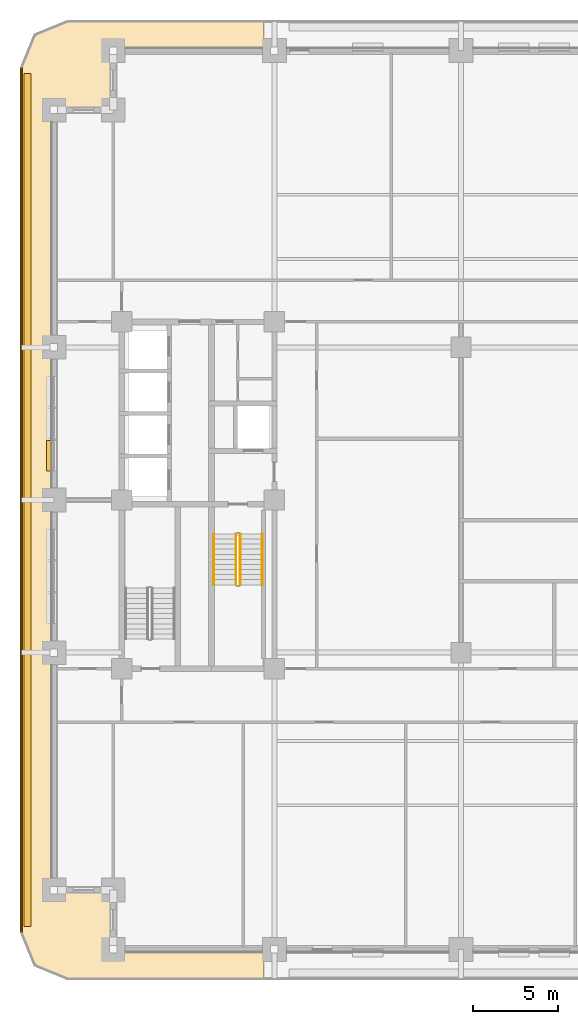
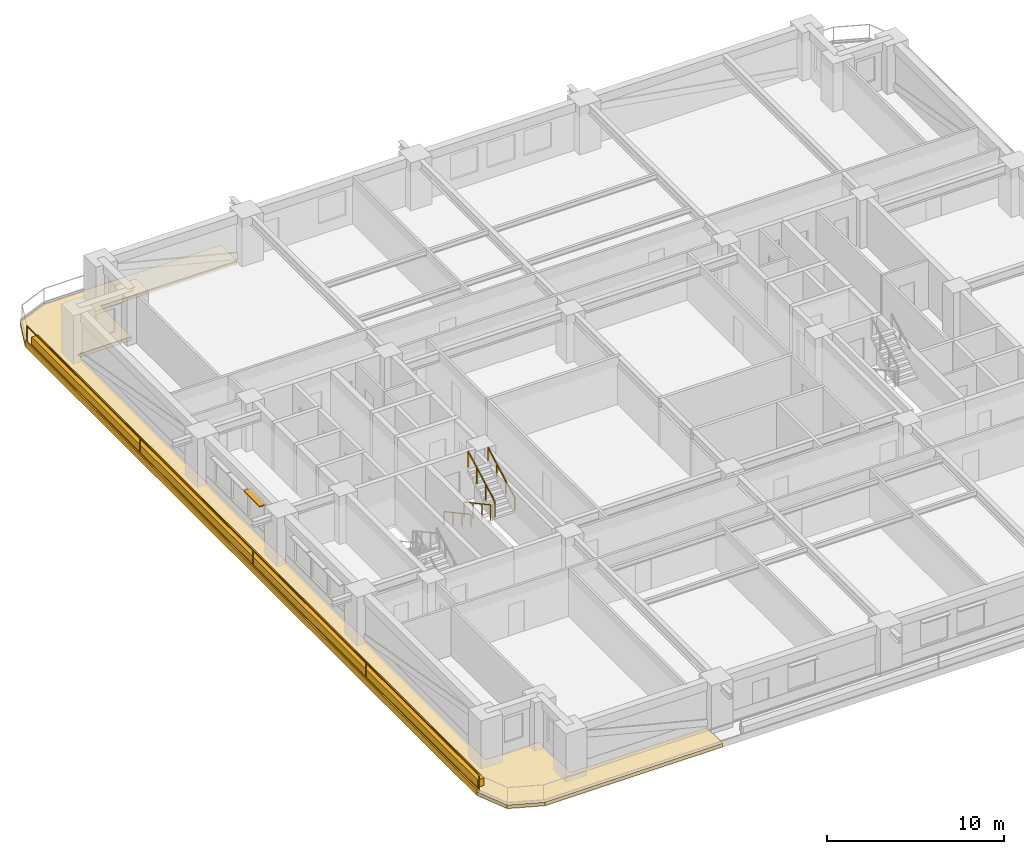
# One storey, part 10 of 14: 5 railings, 3 coverings, 1 shading device.
"""IFC4 building model written with IfcOpenShell, lengths in metres."""

from ifc_helpers import new_model, si_unit, direction, frame, frame_2d, origin, origin_2d, place, context, subcontext, project, spatial, polyline, rectangle, outline, extrude, material, layer, layer_set, type_object, element, save


model = new_model("IFC4")

# Units and contexts
model_context = context("Model", 3, precision=1e-05, world=origin(), true_north=direction((0.0, 1.0)))
body_context = subcontext(model_context, "Body", "Model", "MODEL_VIEW")
ifc_project = project(units=[si_unit("LENGTHUNIT", "METRE"), si_unit("AREAUNIT", "SQUARE_METRE"), si_unit("VOLUMEUNIT", "CUBIC_METRE"), si_unit("PLANEANGLEUNIT", "RADIAN"), si_unit("MASSUNIT", "GRAM", prefix="KILO")], contexts=[model_context])

# Site, building, storey
site_placement = place(None, origin())
site = spatial("IfcSite", under=ifc_project, at=site_placement, CompositionType="ELEMENT")
building_placement = place(site_placement, origin())
building = spatial("IfcBuilding", under=site, at=building_placement, Name="Zulmaris Gate Convention Tower", CompositionType="ELEMENT")
storey_placement = place(building_placement, frame((0.0, 0.0, 41.47998046875)))
storey = spatial("IfcBuildingStorey", under=building, at=storey_placement, Name="L09", CompositionType="ELEMENT", Elevation=41.47998046875)

# Coverings
ifc_material_1 = material(Name="White Glazed Architectural Precast Concrete C40/50", Category="concrete")
ifc_layer_1 = layer(ifc_material_1, 0.239990234375, Name="White Glazed Architectural Precast Concrete C40/50")
ifc_layer_set_1 = layer_set([ifc_layer_1], Name="White Glazed Architectural Precast Concrete C40/50")
covering_type_1 = type_object("IfcCoveringType", Name="CLAD-TRAY-DECK", PredefinedType="CLADDING", material=ifc_layer_set_1)
covering_1_placement = place(storey_placement, frame((0.0, 0.0, -0.25)))
element("IfcCovering", 1, at=covering_1_placement, inside=storey, type_object=covering_type_1, Name="L09 West Rounded-Fascia Planter Tray Deck", PredefinedType="CLADDING", context=body_context, shape_type="SweptSolid", body=[
    extrude(outline(polyline([(-26.0, 25.5), (-25.179931640625, 27.47998046875), (-23.199951171875, 28.300048828125), (-11.60205078125, 28.300048828125), (-11.60205078125, 26.5), (-20.5, 26.5), (-20.5, 23.0), (-24.0, 23.0), (-24.0, -23.0), (-20.5, -23.0), (-20.5, -26.5), (-11.60205078125, -26.5), (-11.60205078125, -28.300048828125), (-23.199951171875, -28.300048828125), (-25.179931640625, -27.47998046875), (-26.0, -25.5), (-26.0, 25.5)])), origin(), (0.0, 0.0, 1.0), 0.239990234375),
])
ifc_layer_2 = layer(ifc_material_1, 0.080078125, Name="White Glazed Architectural Precast Concrete C40/50")
ifc_layer_set_2 = layer_set([ifc_layer_2], Name="White Glazed Architectural Precast Concrete C40/50")
covering_type_2 = type_object("IfcCoveringType", Name="CLAD-TRAY-FASCIA", PredefinedType="CLADDING", material=ifc_layer_set_2)
covering_2_placement = place(storey_placement, frame((-25.9599609375, 25.5, -0.2900390625), z_axis=(0.0, 0.0, 1.0), x_axis=(0.0, -1.0, 0.0)))
element("IfcCovering", 2, at=covering_2_placement, inside=storey, type_object=covering_type_2, Name="FSC-L09-TR-11", PredefinedType="CLADDING", context=body_context, shape_type="SweptSolid", body=[
    extrude(rectangle(XDim=51.0, YDim=0.080078125, at=frame_2d((25.5, 0.0))), origin(), (0.0, 0.0, 1.0), 0.43994140625),
])
ifc_material_2 = material(Name="Botanical Green Glazed Precast Concrete C40/50", Category="concrete")
ifc_layer_3 = layer(ifc_material_2, 0.419921875, Name="Botanical Green Glazed Precast Concrete C40/50")
ifc_layer_set_3 = layer_set([ifc_layer_3], Name="Botanical Green Glazed Precast Concrete C40/50")
covering_type_3 = type_object("IfcCoveringType", Name="PLANTER-BOX-200", PredefinedType="CLADDING", material=ifc_layer_set_3)
covering_3_placement = place(storey_placement, frame((0.0, 0.0, -0.010009765625)))
element("IfcCovering", 3, at=covering_3_placement, inside=storey, type_object=covering_type_3, Name="L09 W Full-Length Balcony Tree Planter Trough", PredefinedType="CLADDING", context=body_context, shape_type="SweptSolid", body=[
    extrude(outline(polyline([(-25.760009765625, -25.14990234375), (-25.340087890625, -25.14990234375), (-25.340087890625, 25.14990234375), (-25.760009765625, 25.14990234375), (-25.760009765625, -25.14990234375)])), origin(), (0.0, 0.0, 1.0), 0.52001953125),
])

# Railings
ifc_material_3 = material(Name="Laminated Glass and Stainless Steel", Category="steel")
railing_type_1 = type_object("IfcRailingType", Name="RL-BALC-1150", PredefinedType="BALUSTRADE", material=ifc_material_3)
railing_1_placement = place(storey_placement, frame((-25.8798828125, 25.5, -0.010009765625)))
element("IfcRailing", 4, at=railing_1_placement, inside=storey, type_object=railing_type_1, Name="RL-L09-BALC-W", PredefinedType="BALUSTRADE", context=body_context, shape_type="SweptSolid", body=[
    extrude(rectangle(XDim=0.048095703125, YDim=0.048095703125, at=origin_2d()), frame((0.0, 0.0, 1.1259765625), z_axis=(0.0, -1.0, 0.0), x_axis=(1.0, 0.0, 0.0)), (0.0, 0.0, 1.0), 51.0),
    extrude(rectangle(XDim=0.048095703125, YDim=0.048095703125, at=origin_2d()), frame((0.0, 0.0, 0.02392578125), z_axis=(0.0, -1.0, 0.0), x_axis=(1.0, 0.0, 0.0)), (0.0, 0.0, 1.0), 51.0),
    extrude(rectangle(XDim=0.0419921875, YDim=0.0419921875, at=origin_2d()), origin(), (0.0, 0.0, 1.0), 1.101806640625),
    extrude(rectangle(XDim=0.0419921875, YDim=0.0419921875, at=origin_2d()), frame((0.0, -12.75, 0.0)), (0.0, 0.0, 1.0), 1.101806640625),
    extrude(rectangle(XDim=0.0419921875, YDim=0.0419921875, at=origin_2d()), frame((0.0, -25.5, 0.0)), (0.0, 0.0, 1.0), 1.101806640625),
    extrude(rectangle(XDim=0.0419921875, YDim=0.0419921875, at=origin_2d()), frame((0.0, -38.25, 0.0)), (0.0, 0.0, 1.0), 1.101806640625),
    extrude(rectangle(XDim=0.0419921875, YDim=0.0419921875, at=origin_2d()), frame((0.0, -51.0, 0.0)), (0.0, 0.0, 1.0), 1.101806640625),
])
ifc_material_4 = material(Name="Painted Galvanised Steel", Category="steel")
railing_type_2 = type_object("IfcRailingType", Name="RL-STG-1150", PredefinedType="GUARDRAIL", material=ifc_material_4)
railing_2_placement = place(storey_placement, frame((-13.27001953125, -2.0, 0.162353515625)))
element("IfcRailing", 5, at=railing_2_placement, inside=storey, type_object=railing_type_2, Name="L09 ST-1 stair guard 1", PredefinedType="GUARDRAIL", context=body_context, shape_type="SweptSolid", body=[
    extrude(rectangle(XDim=0.048095703125, YDim=0.048095703125, at=origin_2d()), frame((0.0, 0.0, 1.076171875), z_axis=(0.0, -0.879591569277, 0.475729619907), x_axis=(1.0, 0.0, 0.0)), (0.0, 0.0, 1.0), 3.41064453125),
    extrude(rectangle(XDim=0.0419921875, YDim=0.0419921875, at=origin_2d()), origin(), (0.0, 0.0, 1.0), 1.052001953125),
    extrude(rectangle(XDim=0.0419921875, YDim=0.0419921875, at=origin_2d()), frame((0.0, -1.0, 0.540771484375)), (0.0, 0.0, 1.0), 1.052001953125),
    extrude(rectangle(XDim=0.0419921875, YDim=0.0419921875, at=origin_2d()), frame((0.0, -2.0, 1.081787109375)), (0.0, 0.0, 1.0), 1.052001953125),
    extrude(rectangle(XDim=0.0419921875, YDim=0.0419921875, at=origin_2d()), frame((0.0, -3.0, 1.62255859375)), (0.0, 0.0, 1.0), 1.052001953125),
])
railing_3_placement = place(storey_placement, frame((-13.010009765625, -5.0, 1.947265625)))
element("IfcRailing", 6, at=railing_3_placement, inside=storey, type_object=railing_type_2, Name="L09 ST-1 stair guard 3", PredefinedType="GUARDRAIL", context=body_context, shape_type="SweptSolid", body=[
    extrude(rectangle(XDim=0.048095703125, YDim=0.048095703125, at=origin_2d()), frame((0.0, 0.0, 1.076171875), z_axis=(0.0, 0.8795616155, 0.475784998228), x_axis=(-1.0, 0.0, 0.0)), (0.0, 0.0, 1.0), 3.410888671875),
    extrude(rectangle(XDim=0.0419921875, YDim=0.0419921875, at=origin_2d()), origin(), (0.0, 0.0, 1.0), 1.052001953125),
    extrude(rectangle(XDim=0.0419921875, YDim=0.0419921875, at=origin_2d()), frame((0.0, 1.0, 0.541015625)), (0.0, 0.0, 1.0), 1.052001953125),
    extrude(rectangle(XDim=0.0419921875, YDim=0.0419921875, at=origin_2d()), frame((0.0, 2.0, 1.081787109375)), (0.0, 0.0, 1.0), 1.052001953125),
    extrude(rectangle(XDim=0.0419921875, YDim=0.0419921875, at=origin_2d()), frame((0.0, 3.0, 1.622802734375)), (0.0, 0.0, 1.0), 1.052001953125),
])
ifc_material_5 = material(Name="Brushed Stainless Steel", Category="steel")
railing_type_3 = type_object("IfcRailingType", Name="RL-STH-900", PredefinedType="HANDRAIL", material=ifc_material_5)
railing_4_placement = place(storey_placement, frame((-14.570068359375, -2.0, 0.162353515625)))
element("IfcRailing", 7, at=railing_4_placement, inside=storey, type_object=railing_type_3, Name="L09 ST-1 stair handrail 1", PredefinedType="HANDRAIL", context=body_context, shape_type="SweptSolid", body=[
    extrude(rectangle(XDim=0.048095703125, YDim=0.048095703125, at=origin_2d()), frame((0.0, 0.0, 0.8759765625), z_axis=(0.0, -0.879591569277, 0.475729619907), x_axis=(1.0, 0.0, 0.0)), (0.0, 0.0, 1.0), 3.41064453125),
    extrude(rectangle(XDim=0.0419921875, YDim=0.0419921875, at=origin_2d()), origin(), (0.0, 0.0, 1.0), 0.851806640625),
    extrude(rectangle(XDim=0.0419921875, YDim=0.0419921875, at=origin_2d()), frame((0.0, -1.0, 0.540771484375)), (0.0, 0.0, 1.0), 0.851806640625),
    extrude(rectangle(XDim=0.0419921875, YDim=0.0419921875, at=origin_2d()), frame((0.0, -2.0, 1.081787109375)), (0.0, 0.0, 1.0), 0.851806640625),
    extrude(rectangle(XDim=0.0419921875, YDim=0.0419921875, at=origin_2d()), frame((0.0, -3.0, 1.62255859375)), (0.0, 0.0, 1.0), 0.851806640625),
])
railing_5_placement = place(storey_placement, frame((-11.7099609375, -5.0, 1.947265625)))
element("IfcRailing", 8, at=railing_5_placement, inside=storey, type_object=railing_type_3, Name="L09 ST-1 stair handrail 2", PredefinedType="HANDRAIL", context=body_context, shape_type="SweptSolid", body=[
    extrude(rectangle(XDim=0.048095703125, YDim=0.048095703125, at=origin_2d()), frame((0.0, 0.0, 0.8759765625), z_axis=(0.0, 0.8795616155, 0.475784998228), x_axis=(-1.0, 0.0, 0.0)), (0.0, 0.0, 1.0), 3.410888671875),
    extrude(rectangle(XDim=0.0419921875, YDim=0.0419921875, at=origin_2d()), origin(), (0.0, 0.0, 1.0), 0.851806640625),
    extrude(rectangle(XDim=0.0419921875, YDim=0.0419921875, at=origin_2d()), frame((0.0, 1.0, 0.541015625)), (0.0, 0.0, 1.0), 0.851806640625),
    extrude(rectangle(XDim=0.0419921875, YDim=0.0419921875, at=origin_2d()), frame((0.0, 2.0, 1.081787109375)), (0.0, 0.0, 1.0), 0.851806640625),
    extrude(rectangle(XDim=0.0419921875, YDim=0.0419921875, at=origin_2d()), frame((0.0, 3.0, 1.622802734375)), (0.0, 0.0, 1.0), 0.851806640625),
])

# Shading device
ifc_material_6 = material(Name="Glazed Ceramic Terracotta", Category="masonry")
ifc_layer_4 = layer(ifc_material_6, 0.070068359375, Name="Glazed Ceramic Terracotta")
ifc_layer_set_4 = layer_set([ifc_layer_4], Name="Glazed Ceramic Terracotta")
shading_device_type = type_object("IfcShadingDeviceType", Name="SHD-SUNSHADE-TC", PredefinedType="AWNING", material=ifc_layer_set_4)
shading_device_placement = place(storey_placement, frame((-24.219970703125, 3.514892578125, 2.530029296875), z_axis=(0.0, 0.0, 1.0), x_axis=(0.0, -1.0, 0.0)))
element("IfcShadingDevice", 9, at=shading_device_placement, inside=storey, type_object=shading_device_type, Name="SHD-EW-L09-W-2_0-3", PredefinedType="AWNING", context=body_context, shape_type="SweptSolid", body=[
    extrude(rectangle(XDim=1.7998046875, YDim=0.43994140625, at=frame_2d((0.89990234375, 0.0))), origin(), (0.0, 0.0, 1.0), 0.070068359375),
])

save(model, "model.ifc")
